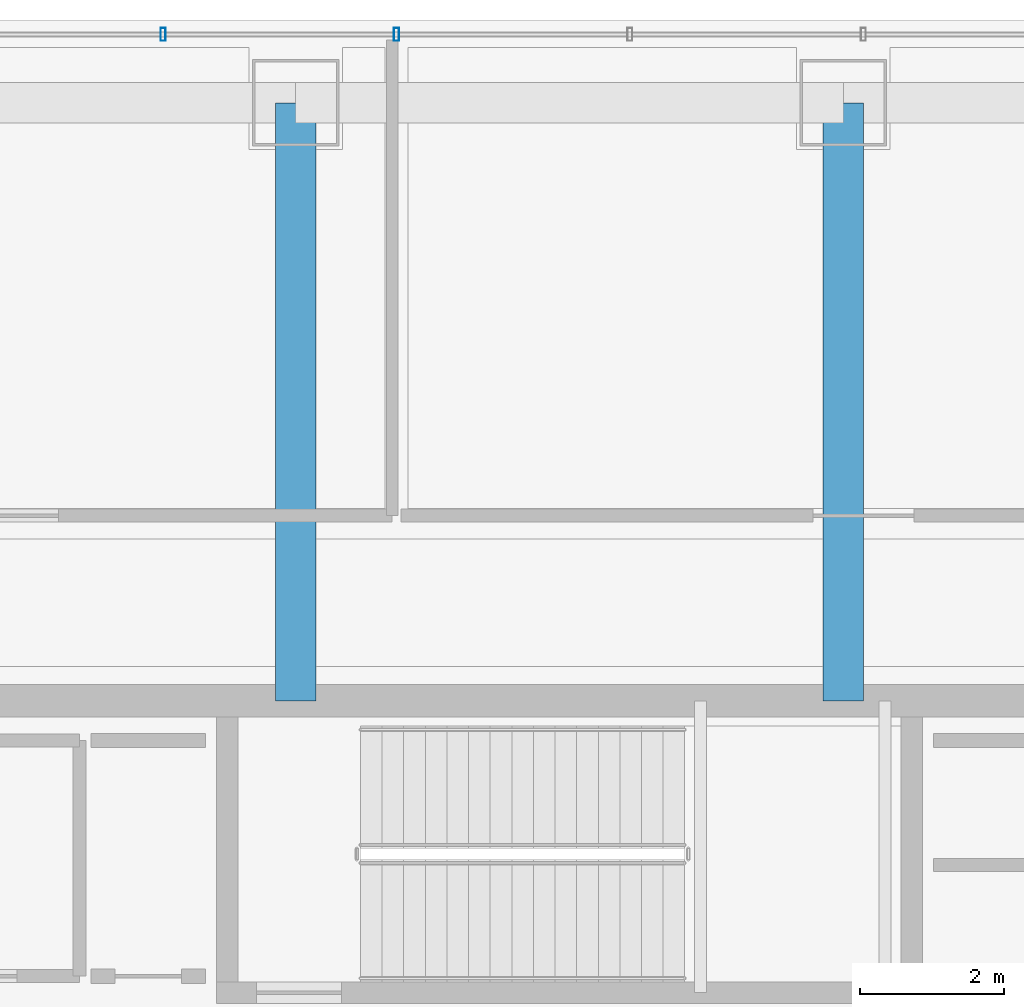
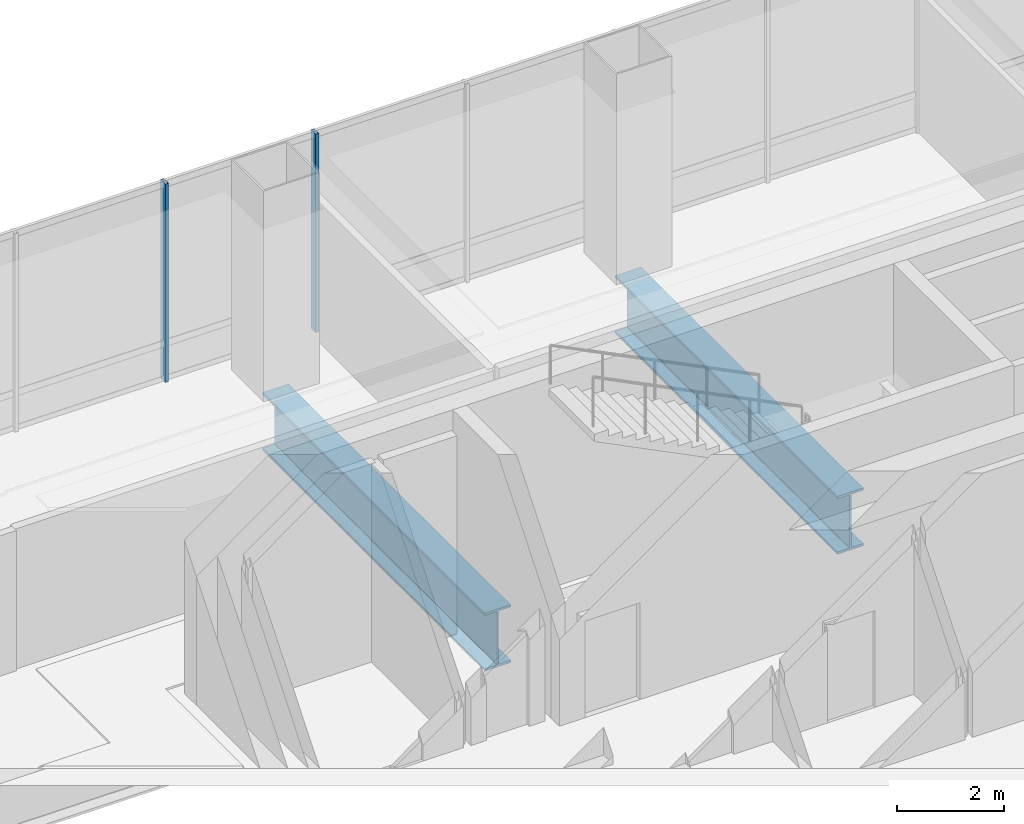
# One storey, part 27 of 45: 2 beams, 2 members, 1 element without a shape of its own.
"""IFC4 building model written with IfcOpenShell, lengths in metres."""

from ifc_helpers import new_model, si_unit, direction, frame, origin, origin_2d, place, context, subcontext, project, spatial, hollow_rectangle, i_section, extrude, material, material_profile, profile_set, type_object, element, aggregate, save


model = new_model("IFC4")

# Units and contexts
model_context = context("Model", 3, precision=1e-05, world=origin(), true_north=direction((0.0, 1.0)))
body_context = subcontext(model_context, "Body", "Model", "MODEL_VIEW")
ifc_project = project(units=[si_unit("LENGTHUNIT", "METRE"), si_unit("AREAUNIT", "SQUARE_METRE"), si_unit("VOLUMEUNIT", "CUBIC_METRE"), si_unit("PLANEANGLEUNIT", "RADIAN"), si_unit("MASSUNIT", "GRAM", prefix="KILO")], contexts=[model_context])

# Site, building, storey
site_placement = place(None, origin())
site = spatial("IfcSite", under=ifc_project, at=site_placement, CompositionType="ELEMENT")
building_placement = place(site_placement, origin())
building = spatial("IfcBuilding", under=site, at=building_placement, Name="Punatoya Terracotta Tower", CompositionType="ELEMENT")
storey_placement = place(building_placement, frame((0.0, 0.0, 339.0)))
storey = spatial("IfcBuildingStorey", under=building, at=storey_placement, Name="L80", CompositionType="ELEMENT", Elevation=339.0)

# Beams
ifc_material_1 = material(Name="Steel S460", Category="steel")
ifc_material_profile_1 = material_profile(ifc_material_1, i_section(OverallWidth=0.56005859375, OverallDepth=1.320068359375, WebThickness=0.035888671875, FlangeThickness=0.054931640625, FilletRadius=0.01806640625, at=origin_2d()))
ifc_profile_set_1 = profile_set([ifc_material_profile_1], Name="Steel S460")
beam_type = type_object("IfcBeamType", Name="BM-TG-BLK", PredefinedType="BEAM", material=ifc_profile_set_1)
for number, where, z_axis, x_axis, name in (
    (1, (-3.800048828125, 9.199951171875, -0.919921875), (0.0, 1.0, 0.0), (-1.0, 0.0, 0.0), "BM-L80-PR-N2"),
    (2, (3.800048828125, 9.199951171875, -0.919921875), (0.0, 1.0, 0.0), (-1.0, 0.0, 0.0), "BM-L80-PR-N3"),
):
    element("IfcBeam", number, at=place(storey_placement, frame(where, z_axis=z_axis, x_axis=x_axis)), inside=storey, type_object=beam_type, Name=name, PredefinedType="BEAM", context=body_context, shape_type="SweptSolid", body=[
        extrude(i_section(OverallWidth=0.56005859375, OverallDepth=1.320068359375, WebThickness=0.035888671875, FlangeThickness=0.054931640625, FilletRadius=0.01806640625, at=origin_2d()), origin(), (0.0, 0.0, 1.0), 8.300048828125),
    ])

# Curtain wall, members
ifc_material_2 = material(Name="Aluminium 6063-T6 + Double Low-E Glass", Category="aluminium")
curtain_wall_type = type_object("IfcCurtainWallType", Name="CW-OBS", PredefinedType="NOTDEFINED", material=ifc_material_2)
curtain_wall_placement = place(storey_placement, origin())
curtain_wall = element("IfcCurtainWall", 3, at=curtain_wall_placement, inside=storey, type_object=curtain_wall_type, Name="L80 Curtain Wall CW-L80-N09-1", PredefinedType="NOTDEFINED")
ifc_material_3 = material(Name="Aluminium 6063-T6", Category="aluminium")
ifc_material_profile_2 = material_profile(ifc_material_3, hollow_rectangle(XDim=0.070068359375, YDim=0.179931640625, WallThickness=0.00390625, at=origin_2d()))
ifc_profile_set_2 = profile_set([ifc_material_profile_2], Name="Aluminium 6063-T6")
member_type = type_object("IfcMemberType", Name="CW-MUL-M3", PredefinedType="MULLION", material=ifc_profile_set_2)
member_1_placement = place(storey_placement, frame((-2.39990234375, 18.449951171875, 0.0), z_axis=(0.0, 0.0, 1.0), x_axis=(1.0, 0.0, 0.0)))
member_1 = element("IfcMember", 4, at=member_1_placement, type_object=member_type, Name="CW-L80-N09-1 Mullion 06", PredefinedType="MULLION", context=body_context, shape_type="SweptSolid", body=[
    extrude(hollow_rectangle(XDim=0.070068359375, YDim=0.179931640625, WallThickness=0.00390625, at=origin_2d()), origin(), (0.0, 0.0, 1.0), 4.52001953125),
])
member_2_placement = place(storey_placement, frame((-5.639404296875, 18.449951171875, 0.0), z_axis=(0.0, 0.0, 1.0), x_axis=(1.0, 0.0, 0.0)))
member_2 = element("IfcMember", 5, at=member_2_placement, type_object=member_type, Name="CW-L80-N09-1 Mullion 07", PredefinedType="MULLION", context=body_context, shape_type="SweptSolid", body=[
    extrude(hollow_rectangle(XDim=0.070068359375, YDim=0.179931640625, WallThickness=0.00390625, at=origin_2d()), origin(), (0.0, 0.0, 1.0), 4.52001953125),
])
aggregate(curtain_wall, [member_1, member_2])

save(model, "model.ifc")
